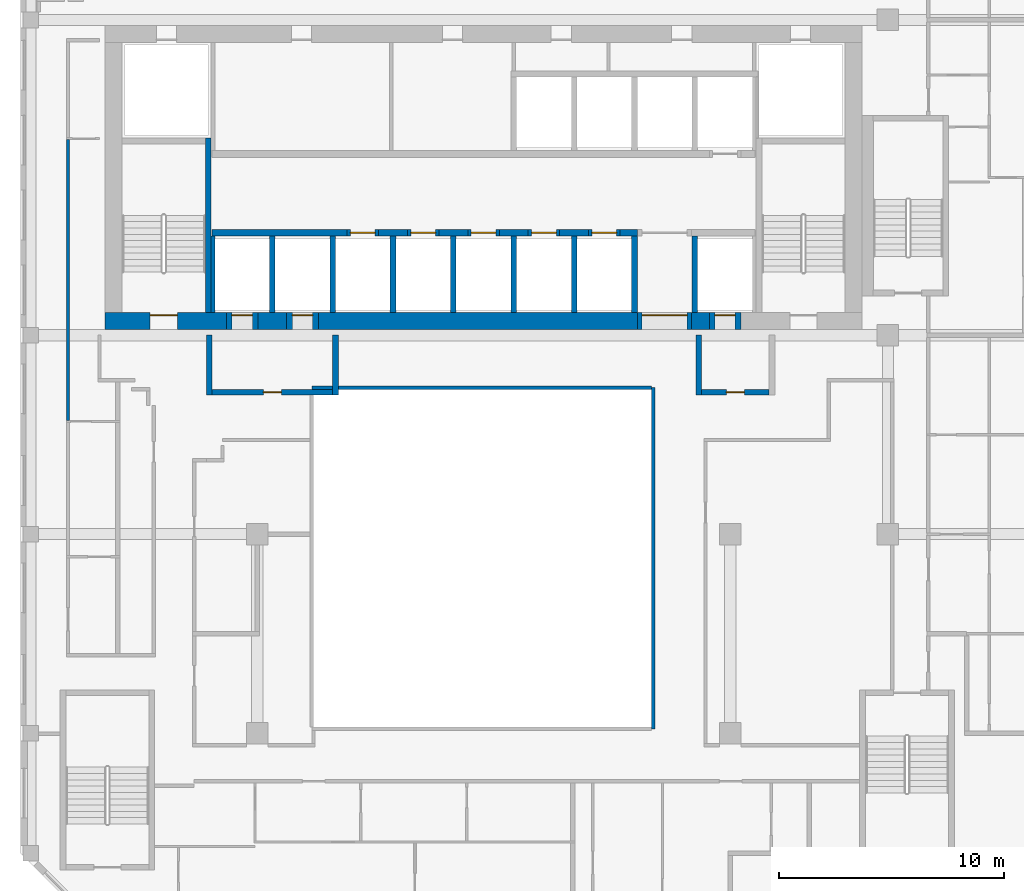
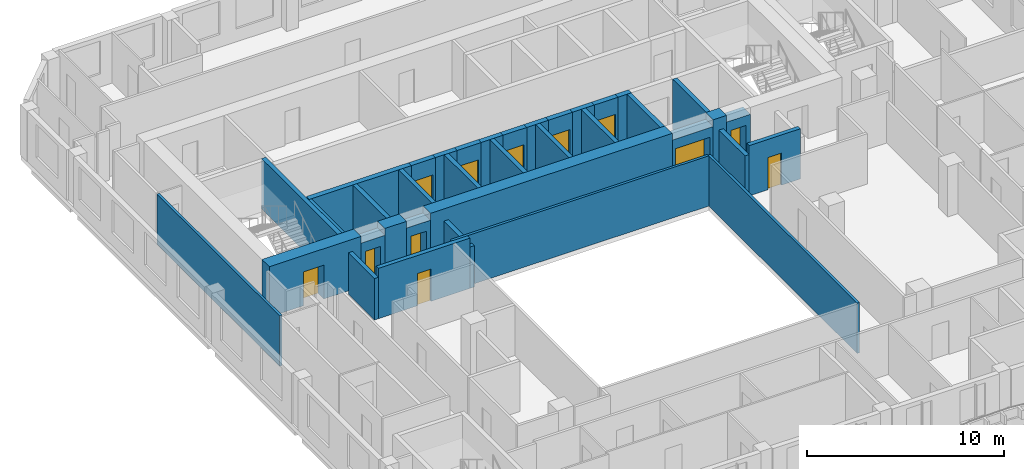
# One storey, part 4 of 20: 37 walls, 12 doors, 12 openings.
"""IFC4 building model written with IfcOpenShell, lengths in metres."""

from ifc_helpers import new_model, si_unit, direction, frame, frame_2d, origin, place, context, subcontext, project, spatial, rectangle, extrude, source, transform, mapped, material, layer, layer_set, type_object, element, fill, save


model = new_model("IFC4")

# Units and contexts
model_context = context("Model", 3, precision=1e-05, world=origin(), true_north=direction((0.0, 1.0)))
body_context = subcontext(model_context, "Body", "Model", "MODEL_VIEW")
ifc_project = project(units=[si_unit("LENGTHUNIT", "METRE"), si_unit("AREAUNIT", "SQUARE_METRE"), si_unit("VOLUMEUNIT", "CUBIC_METRE"), si_unit("PLANEANGLEUNIT", "RADIAN"), si_unit("MASSUNIT", "GRAM", prefix="KILO")], contexts=[model_context])

# Site, building, storey
site_placement = place(None, origin())
site = spatial("IfcSite", under=ifc_project, at=site_placement, CompositionType="ELEMENT")
building_placement = place(site_placement, origin())
building = spatial("IfcBuilding", under=site, at=building_placement, Name="Kilnfold Tower and Market Hall", CompositionType="ELEMENT")
storey_placement = place(building_placement, frame((0.0, 0.0, 239.0)))
storey = spatial("IfcBuildingStorey", under=building, at=storey_placement, Name="L57", CompositionType="ELEMENT", Elevation=239.0)

# Walls
ifc_material_1 = material(Name="Fire-resisting glazed screen")
ifc_layer_1 = layer(ifc_material_1, 0.14990234375)
ifc_layer_set_1 = layer_set([ifc_layer_1], Name="Fire-resisting glazed screen")
wall_type_1 = type_object("IfcWallType", Name="WALL ATRIUM 150", PredefinedType="PARTITIONING", material=ifc_layer_set_1)
wall_1_placement = place(storey_placement, frame((-6.574951171875, 5.675048828125, 0.0), z_axis=(0.0, 0.0, 1.0), x_axis=(1.0, 0.0, 0.0)))
element("IfcWall", 1, at=wall_1_placement, inside=storey, type_object=wall_type_1, Name="Partition LY35.110", PredefinedType="PARTITIONING", context=body_context, shape_type="SweptSolid", body=[
    extrude(rectangle(XDim=15.074951171875, YDim=0.14990234375, at=frame_2d((7.53759765625, 0.0))), origin(), (0.0, 0.0, 1.0), 3.1201171875),
])
wall_2_placement = place(storey_placement, frame((8.574951171875, 5.675048828125, 0.0), z_axis=(0.0, 0.0, 1.0), x_axis=(0.0, -1.0, 0.0)))
element("IfcWall", 2, at=wall_2_placement, inside=storey, type_object=wall_type_1, Name="Partition LY35.111", PredefinedType="PARTITIONING", context=body_context, shape_type="SweptSolid", body=[
    extrude(rectangle(XDim=15.150146484375, YDim=0.14990234375, at=frame_2d((7.5751953125, 0.0))), origin(), (0.0, 0.0, 1.0), 3.1201171875),
])
ifc_material_2 = material(Name="Gypsum board on steel studs", Category="steel")
ifc_layer_2 = layer(ifc_material_2, 0.14990234375)
ifc_layer_set_2 = layer_set([ifc_layer_2], Name="Gypsum board on steel studs")
wall_type_2 = type_object("IfcWallType", Name="WALL CORRIDOR 150", PredefinedType="PARTITIONING", material=ifc_layer_set_2)
wall_3_placement = place(storey_placement, frame((-17.39990234375, 4.214111328125, 0.0), z_axis=(0.0, 0.0, 1.0), x_axis=(0.0, 1.0, 0.0)))
element("IfcWall", 3, at=wall_3_placement, inside=storey, type_object=wall_type_2, Name="Partition LY35.4", PredefinedType="PARTITIONING", context=body_context, shape_type="SweptSolid", body=[
    extrude(rectangle(XDim=12.476806640625, YDim=0.14990234375, at=frame_2d((6.23828125, 0.0))), origin(), (0.0, 0.0, 1.0), 3.1201171875),
])
ifc_material_3 = material(Name="Concrete C60", Category="concrete")
ifc_layer_3 = layer(ifc_material_3, 0.25)
ifc_layer_set_3 = layer_set([ifc_layer_3], Name="Concrete C60")
wall_type_3 = type_object("IfcWallType", Name="CORE WALL 250 C60", PredefinedType="SHEAR", material=ifc_layer_set_3)
shared_shape_1 = source(origin(), body_context, "Body", "SweptSolid", [
    extrude(rectangle(XDim=7.75, YDim=0.25, at=frame_2d((3.875, 0.0))), origin(), (0.0, 0.0, 1.0), 3.1201171875),
])
wall_4_placement = place(storey_placement, frame((-11.175048828125, 9.0, 0.0), z_axis=(0.0, 0.0, 1.0), x_axis=(0.0, 1.0, 0.0)))
element("IfcWall", 4, at=wall_4_placement, inside=storey, type_object=wall_type_3, Name="Stair enclosure ST1", PredefinedType="SHEAR", context=body_context, shape_type="MappedRepresentation", body=[
    mapped(shared_shape_1, transform((0.0, 0.0, 0.0))),
])
ifc_material_4 = material(Name="Concrete C60", Category="concrete")
ifc_layer_4 = layer(ifc_material_4, 0.300048828125)
ifc_layer_set_4 = layer_set([ifc_layer_4], Name="Concrete C60")
wall_type_4 = type_object("IfcWallType", Name="CORE WALL 300 C60", PredefinedType="SHEAR", material=ifc_layer_set_4)
shared_shape_2 = source(origin(), body_context, "Body", "SweptSolid", [
    extrude(rectangle(XDim=6.0, YDim=0.300048828125, at=frame_2d((3.0, 0.0))), origin(), (0.0, 0.0, 1.0), 3.1201171875),
])
wall_5_placement = place(storey_placement, frame((-11.010009765625, 12.550048828125, 0.0), z_axis=(0.0, 0.0, 1.0), x_axis=(1.0, 0.0, 0.0)))
element("IfcWall", 5, at=wall_5_placement, inside=storey, type_object=wall_type_4, Name="Core spine wall", PredefinedType="SHEAR", context=body_context, shape_type="MappedRepresentation", body=[
    mapped(shared_shape_2, transform((0.0, 0.0, 0.0))),
])
shared_shape_3 = source(origin(), body_context, "Body", "SweptSolid", [
    extrude(rectangle(XDim=1.280029296875, YDim=0.300048828125, at=frame_2d((0.64013671875, 0.0))), origin(), (0.0, 0.0, 1.0), 3.1201171875),
])
for number, where, z_axis, x_axis, name in (
    (6, (-3.610107421875, 12.550048828125, 0.0), (0.0, 0.0, 1.0), (1.0, 0.0, 0.0), "Core spine wall"),
    (7, (-0.929931640625, 12.550048828125, 0.0), (0.0, 0.0, 1.0), (1.0, 0.0, 0.0), "Core spine wall"),
    (8, (1.75, 12.550048828125, 0.0), (0.0, 0.0, 1.0), (1.0, 0.0, 0.0), "Core spine wall"),
    (9, (4.429931640625, 12.550048828125, 0.0), (0.0, 0.0, 1.0), (1.0, 0.0, 0.0), "Core spine wall"),
):
    element("IfcWall", number, at=place(storey_placement, frame(where, z_axis=z_axis, x_axis=x_axis)), inside=storey, type_object=wall_type_4, Name=name, PredefinedType="SHEAR", context=body_context, shape_type="MappedRepresentation", body=[
        mapped(shared_shape_3, transform((0.0, 0.0, 0.0))),
    ])
shared_shape_4 = source(origin(), body_context, "Body", "SweptSolid", [
    extrude(rectangle(XDim=0.77978515625, YDim=0.300048828125, at=frame_2d((0.389892578125, 0.0))), origin(), (0.0, 0.0, 1.0), 3.1201171875),
])
wall_6_placement = place(storey_placement, frame((7.110107421875, 12.550048828125, 0.0), z_axis=(0.0, 0.0, 1.0), x_axis=(1.0, 0.0, 0.0)))
element("IfcWall", 10, at=wall_6_placement, inside=storey, type_object=wall_type_4, Name="Core spine wall", PredefinedType="SHEAR", context=body_context, shape_type="MappedRepresentation", body=[
    mapped(shared_shape_4, transform((0.0, 0.0, 0.0))),
])

# Wall, opening, door
ifc_material_5 = material(Name="Concrete C60", Category="concrete")
ifc_layer_5 = layer(ifc_material_5, 0.75)
ifc_layer_set_5 = layer_set([ifc_layer_5], Name="Concrete C60")
wall_type_5 = type_object("IfcWallType", Name="CORE WALL 750 C60", PredefinedType="SHEAR", material=ifc_layer_set_5)
shared_shape_5 = source(origin(), body_context, "Body", "SweptSolid", [
    extrude(rectangle(XDim=5.3798828125, YDim=0.75, at=frame_2d((2.68994140625, 0.0))), origin(), (0.0, 0.0, 1.0), 3.1201171875),
])
wall_7_placement = place(storey_placement, frame((-15.75, 8.625, 0.0), z_axis=(0.0, 0.0, 1.0), x_axis=(1.0, 0.0, 0.0)))
wall_7 = element("IfcWall", 11, at=wall_7_placement, inside=storey, type_object=wall_type_5, Name="Core outer wall south", PredefinedType="SHEAR", context=body_context, shape_type="MappedRepresentation", body=[
    mapped(shared_shape_5, transform((0.0, 0.0, 0.0))),
])
opening_1_placement = place(wall_7_placement, frame((2.0, 0.0, 0.0)))
opening_1 = element("IfcOpeningElement", 12, at=opening_1_placement, cuts=wall_7, Name="Opening SD1", PredefinedType="OPENING", context=body_context, shape_type="SweptSolid", body=[
    extrude(rectangle(XDim=1.199951171875, YDim=2.10009765625, at=frame_2d((0.60009765625, 1.050048828125))), frame((0.0, 0.385009765625, 0.0), z_axis=(0.0, -1.0, 0.0), x_axis=(1.0, 0.0, 0.0)), (0.0, 0.0, 1.0), 0.77001953125),
])
ifc_material_6 = material(Name="Steel door set with fire-resisting leaf", Category="steel")
door_type_1 = type_object("IfcDoorType", Name="STAIR FLOOR DOOR 1200X2100", OperationType="NOTDEFINED", PredefinedType="DOOR", material=ifc_material_6)
door_1_placement = place(opening_1_placement, origin())
door_1 = element("IfcDoor", 13, at=door_1_placement, inside=storey, type_object=door_type_1, Name="Exit stair ST1 door", OperationType="DOUBLE_DOOR_SINGLE_SWING", OverallHeight=2.10009765625, OverallWidth=1.199951171875, PredefinedType="DOOR", context=body_context, shape_type="SweptSolid", body=[
    extrude(rectangle(XDim=1.199951171875, YDim=2.10009765625, at=frame_2d((0.60009765625, 1.050048828125))), frame((0.0, 0.27978515625, 0.0), z_axis=(0.0, -1.0, 0.0), x_axis=(1.0, 0.0, 0.0)), (0.0, 0.0, 1.0), 0.050048828125),
])
fill(opening_1, door_1)

# Walls
shared_shape_6 = source(origin(), body_context, "Body", "SweptSolid", [
    extrude(rectangle(XDim=1.280029296875, YDim=0.75, at=frame_2d((0.64013671875, 0.0))), origin(), (0.0, 0.0, 1.0), 3.1201171875),
])
wall_8_placement = place(storey_placement, frame((-8.969970703125, 8.625, 0.0), z_axis=(0.0, 0.0, 1.0), x_axis=(1.0, 0.0, 0.0)))
element("IfcWall", 14, at=wall_8_placement, inside=storey, type_object=wall_type_5, Name="Core outer wall south", PredefinedType="SHEAR", context=body_context, shape_type="MappedRepresentation", body=[
    mapped(shared_shape_6, transform((0.0, 0.0, 0.0))),
])
shared_shape_7 = source(origin(), body_context, "Body", "SweptSolid", [
    extrude(rectangle(XDim=14.179931640625, YDim=0.75, at=frame_2d((7.08984375, 0.0))), origin(), (0.0, 0.0, 1.0), 3.1201171875),
])
wall_9_placement = place(storey_placement, frame((-6.2900390625, 8.625, 0.0), z_axis=(0.0, 0.0, 1.0), x_axis=(1.0, 0.0, 0.0)))
element("IfcWall", 15, at=wall_9_placement, inside=storey, type_object=wall_type_5, Name="Core outer wall south", PredefinedType="SHEAR", context=body_context, shape_type="MappedRepresentation", body=[
    mapped(shared_shape_7, transform((0.0, 0.0, 0.0))),
])
shared_shape_8 = source(origin(), body_context, "Body", "SweptSolid", [
    extrude(rectangle(XDim=0.780029296875, YDim=0.75, at=frame_2d((0.39013671875, 0.0))), origin(), (0.0, 0.0, 1.0), 3.1201171875),
])
wall_10_placement = place(storey_placement, frame((10.2900390625, 8.625, 0.0), z_axis=(0.0, 0.0, 1.0), x_axis=(1.0, 0.0, 0.0)))
element("IfcWall", 16, at=wall_10_placement, inside=storey, type_object=wall_type_5, Name="Core outer wall south", PredefinedType="SHEAR", context=body_context, shape_type="MappedRepresentation", body=[
    mapped(shared_shape_8, transform((0.0, 0.0, 0.0))),
])

# Wall, opening, door
ifc_material_7 = material(Name="Gypsum shaft wall system")
ifc_layer_6 = layer(ifc_material_7, 0.300048828125)
ifc_layer_set_6 = layer_set([ifc_layer_6], Name="Gypsum shaft wall system")
wall_type_6 = type_object("IfcWallType", Name="SHAFT WALL 300", PredefinedType="PARTITIONING", material=ifc_layer_set_6)
shared_shape_9 = source(origin(), body_context, "Body", "SweptSolid", [
    extrude(rectangle(XDim=1.39990234375, YDim=0.300048828125, at=frame_2d((0.699951171875, 0.0))), origin(), (0.0, 0.0, 1.0), 3.1201171875),
])
wall_11_placement = place(storey_placement, frame((-5.010009765625, 12.550048828125, 0.0), z_axis=(0.0, 0.0, 1.0), x_axis=(1.0, 0.0, 0.0)))
wall_11 = element("IfcWall", 17, at=wall_11_placement, inside=storey, type_object=wall_type_6, Name="Lift shaft front wall", PredefinedType="PARTITIONING", context=body_context, shape_type="MappedRepresentation", body=[
    mapped(shared_shape_9, transform((0.0, 0.0, 0.0))),
])
opening_2_placement = place(wall_11_placement, frame((0.14990234375, 0.0, 0.0)))
opening_2 = element("IfcOpeningElement", 18, at=opening_2_placement, cuts=wall_11, Name="Opening LD2", PredefinedType="OPENING", context=body_context, shape_type="SweptSolid", body=[
    extrude(rectangle(XDim=1.10009765625, YDim=2.10009765625, at=frame_2d((0.550048828125, 1.050048828125))), frame((0.0, 0.16015625, 0.0), z_axis=(0.0, -1.0, 0.0), x_axis=(1.0, 0.0, 0.0)), (0.0, 0.0, 1.0), 0.320068359375),
])
ifc_material_8 = material(Name="Steel door set with fire-resisting leaf", Category="steel")
door_type_2 = type_object("IfcDoorType", Name="LANDING DOOR 1100X2100", OperationType="NOTDEFINED", PredefinedType="DOOR", material=ifc_material_8)
door_2_placement = place(opening_2_placement, origin())
door_2 = element("IfcDoor", 19, at=door_2_placement, inside=storey, type_object=door_type_2, Name="Landing door HR1", OperationType="DOUBLE_DOOR_SLIDING", OverallHeight=2.10009765625, OverallWidth=1.10009765625, PredefinedType="DOOR", context=body_context, shape_type="SweptSolid", body=[
    extrude(rectangle(XDim=1.10009765625, YDim=2.10009765625, at=frame_2d((0.550048828125, 1.050048828125))), frame((0.0, 0.02490234375, 0.0), z_axis=(0.0, -1.0, 0.0), x_axis=(1.0, 0.0, 0.0)), (0.0, 0.0, 1.0), 0.050048828125),
])
fill(opening_2, door_2)

wall_12_placement = place(storey_placement, frame((0.35009765625, 12.550048828125, 0.0), z_axis=(0.0, 0.0, 1.0), x_axis=(1.0, 0.0, 0.0)))
wall_12 = element("IfcWall", 20, at=wall_12_placement, inside=storey, type_object=wall_type_6, Name="Lift shaft front wall", PredefinedType="PARTITIONING", context=body_context, shape_type="MappedRepresentation", body=[
    mapped(shared_shape_9, transform((0.0, 0.0, 0.0))),
])
opening_3_placement = place(wall_12_placement, frame((0.14990234375, 0.0, 0.0)))
opening_3 = element("IfcOpeningElement", 21, at=opening_3_placement, cuts=wall_12, Name="Opening LD2", PredefinedType="OPENING", context=body_context, shape_type="SweptSolid", body=[
    extrude(rectangle(XDim=1.10009765625, YDim=2.10009765625, at=frame_2d((0.550048828125, 1.050048828125))), frame((0.0, 0.16015625, 0.0), z_axis=(0.0, -1.0, 0.0), x_axis=(1.0, 0.0, 0.0)), (0.0, 0.0, 1.0), 0.320068359375),
])
door_3_placement = place(opening_3_placement, origin())
door_3 = element("IfcDoor", 22, at=door_3_placement, inside=storey, type_object=door_type_2, Name="Landing door HR3", OperationType="DOUBLE_DOOR_SLIDING", OverallHeight=2.10009765625, OverallWidth=1.10009765625, PredefinedType="DOOR", context=body_context, shape_type="SweptSolid", body=[
    extrude(rectangle(XDim=1.10009765625, YDim=2.10009765625, at=frame_2d((0.550048828125, 1.050048828125))), frame((0.0, 0.02490234375, 0.0), z_axis=(0.0, -1.0, 0.0), x_axis=(1.0, 0.0, 0.0)), (0.0, 0.0, 1.0), 0.050048828125),
])
fill(opening_3, door_3)

wall_13_placement = place(storey_placement, frame((3.030029296875, 12.550048828125, 0.0), z_axis=(0.0, 0.0, 1.0), x_axis=(1.0, 0.0, 0.0)))
wall_13 = element("IfcWall", 23, at=wall_13_placement, inside=storey, type_object=wall_type_6, Name="Lift shaft front wall", PredefinedType="PARTITIONING", context=body_context, shape_type="MappedRepresentation", body=[
    mapped(shared_shape_9, transform((0.0, 0.0, 0.0))),
])
opening_4_placement = place(wall_13_placement, frame((0.14990234375, 0.0, 0.0)))
opening_4 = element("IfcOpeningElement", 24, at=opening_4_placement, cuts=wall_13, Name="Opening LD2", PredefinedType="OPENING", context=body_context, shape_type="SweptSolid", body=[
    extrude(rectangle(XDim=1.10009765625, YDim=2.10009765625, at=frame_2d((0.550048828125, 1.050048828125))), frame((0.0, 0.16015625, 0.0), z_axis=(0.0, -1.0, 0.0), x_axis=(1.0, 0.0, 0.0)), (0.0, 0.0, 1.0), 0.320068359375),
])
door_4_placement = place(opening_4_placement, origin())
door_4 = element("IfcDoor", 25, at=door_4_placement, inside=storey, type_object=door_type_2, Name="Landing door HR4", OperationType="DOUBLE_DOOR_SLIDING", OverallHeight=2.10009765625, OverallWidth=1.10009765625, PredefinedType="DOOR", context=body_context, shape_type="SweptSolid", body=[
    extrude(rectangle(XDim=1.10009765625, YDim=2.10009765625, at=frame_2d((0.550048828125, 1.050048828125))), frame((0.0, 0.02490234375, 0.0), z_axis=(0.0, -1.0, 0.0), x_axis=(1.0, 0.0, 0.0)), (0.0, 0.0, 1.0), 0.050048828125),
])
fill(opening_4, door_4)

shared_shape_10 = source(origin(), body_context, "Body", "SweptSolid", [
    extrude(rectangle(XDim=1.400146484375, YDim=0.300048828125, at=frame_2d((0.7001953125, 0.0))), origin(), (0.0, 0.0, 1.0), 3.1201171875),
])
wall_14_placement = place(storey_placement, frame((-2.330078125, 12.550048828125, 0.0), z_axis=(0.0, 0.0, 1.0), x_axis=(1.0, 0.0, 0.0)))
wall_14 = element("IfcWall", 26, at=wall_14_placement, inside=storey, type_object=wall_type_6, Name="Lift shaft front wall", PredefinedType="PARTITIONING", context=body_context, shape_type="MappedRepresentation", body=[
    mapped(shared_shape_10, transform((0.0, 0.0, 0.0))),
])
opening_5_placement = place(wall_14_placement, frame((0.14990234375, 0.0, 0.0)))
opening_5 = element("IfcOpeningElement", 27, at=opening_5_placement, cuts=wall_14, Name="Opening LD2", PredefinedType="OPENING", context=body_context, shape_type="SweptSolid", body=[
    extrude(rectangle(XDim=1.10009765625, YDim=2.10009765625, at=frame_2d((0.550048828125, 1.050048828125))), frame((0.0, 0.16015625, 0.0), z_axis=(0.0, -1.0, 0.0), x_axis=(1.0, 0.0, 0.0)), (0.0, 0.0, 1.0), 0.320068359375),
])
door_5_placement = place(opening_5_placement, origin())
door_5 = element("IfcDoor", 28, at=door_5_placement, inside=storey, type_object=door_type_2, Name="Landing door HR2", OperationType="DOUBLE_DOOR_SLIDING", OverallHeight=2.10009765625, OverallWidth=1.10009765625, PredefinedType="DOOR", context=body_context, shape_type="SweptSolid", body=[
    extrude(rectangle(XDim=1.10009765625, YDim=2.10009765625, at=frame_2d((0.550048828125, 1.050048828125))), frame((0.0, 0.02490234375, 0.0), z_axis=(0.0, -1.0, 0.0), x_axis=(1.0, 0.0, 0.0)), (0.0, 0.0, 1.0), 0.050048828125),
])
fill(opening_5, door_5)

wall_15_placement = place(storey_placement, frame((5.7099609375, 12.550048828125, 0.0), z_axis=(0.0, 0.0, 1.0), x_axis=(1.0, 0.0, 0.0)))
wall_15 = element("IfcWall", 29, at=wall_15_placement, inside=storey, type_object=wall_type_6, Name="Lift shaft front wall", PredefinedType="PARTITIONING", context=body_context, shape_type="MappedRepresentation", body=[
    mapped(shared_shape_10, transform((0.0, 0.0, 0.0))),
])
opening_6_placement = place(wall_15_placement, frame((0.14990234375, 0.0, 0.0)))
opening_6 = element("IfcOpeningElement", 30, at=opening_6_placement, cuts=wall_15, Name="Opening LD2", PredefinedType="OPENING", context=body_context, shape_type="SweptSolid", body=[
    extrude(rectangle(XDim=1.10009765625, YDim=2.10009765625, at=frame_2d((0.550048828125, 1.050048828125))), frame((0.0, 0.16015625, 0.0), z_axis=(0.0, -1.0, 0.0), x_axis=(1.0, 0.0, 0.0)), (0.0, 0.0, 1.0), 0.320068359375),
])
door_6_placement = place(opening_6_placement, origin())
door_6 = element("IfcDoor", 31, at=door_6_placement, inside=storey, type_object=door_type_2, Name="Landing door HR5", OperationType="DOUBLE_DOOR_SLIDING", OverallHeight=2.10009765625, OverallWidth=1.10009765625, PredefinedType="DOOR", context=body_context, shape_type="SweptSolid", body=[
    extrude(rectangle(XDim=1.10009765625, YDim=2.10009765625, at=frame_2d((0.550048828125, 1.050048828125))), frame((0.0, 0.02490234375, 0.0), z_axis=(0.0, -1.0, 0.0), x_axis=(1.0, 0.0, 0.0)), (0.0, 0.0, 1.0), 0.050048828125),
])
fill(opening_6, door_6)

ifc_material_9 = material(Name="Gypsum shaft wall system")
ifc_layer_7 = layer(ifc_material_9, 0.25)
ifc_layer_set_7 = layer_set([ifc_layer_7], Name="Gypsum shaft wall system")
wall_type_7 = type_object("IfcWallType", Name="LOBBY WALL 250", PredefinedType="PARTITIONING", material=ifc_layer_set_7)
shared_shape_11 = source(origin(), body_context, "Body", "SweptSolid", [
    extrude(rectangle(XDim=5.360107421875, YDim=0.25, at=frame_2d((2.68017578125, 0.0))), origin(), (0.0, 0.0, 1.0), 3.1201171875),
])
wall_16_placement = place(storey_placement, frame((-11.010009765625, 5.47509765625, 0.0), z_axis=(0.0, 0.0, 1.0), x_axis=(1.0, 0.0, 0.0)))
wall_16 = element("IfcWall", 32, at=wall_16_placement, inside=storey, type_object=wall_type_7, Name="Firefighting lobby wall", PredefinedType="PARTITIONING", context=body_context, shape_type="MappedRepresentation", body=[
    mapped(shared_shape_11, transform((0.0, 0.0, 0.0))),
])
opening_7_placement = place(wall_16_placement, frame((2.280029296875, 0.0, 0.0)))
opening_7 = element("IfcOpeningElement", 33, at=opening_7_placement, cuts=wall_16, Name="Opening VD1", PredefinedType="OPENING", context=body_context, shape_type="SweptSolid", body=[
    extrude(rectangle(XDim=0.800048828125, YDim=2.0, at=frame_2d((0.39990234375, 1.0))), frame((0.0, 0.135009765625, 0.0), z_axis=(0.0, -1.0, 0.0), x_axis=(1.0, 0.0, 0.0)), (0.0, 0.0, 1.0), 0.27001953125),
])
ifc_material_10 = material(Name="Steel door set with fire-resisting leaf", Category="steel")
door_type_3 = type_object("IfcDoorType", Name="FIREFIGHTING LOBBY DOOR 800X2000", OperationType="NOTDEFINED", PredefinedType="DOOR", material=ifc_material_10)
door_7_placement = place(opening_7_placement, origin())
door_7 = element("IfcDoor", 34, at=door_7_placement, inside=storey, type_object=door_type_3, Name="Firefighting lobby door", OperationType="SINGLE_SWING_LEFT", OverallHeight=2.0, OverallWidth=0.800048828125, PredefinedType="DOOR", context=body_context, shape_type="SweptSolid", body=[
    extrude(rectangle(XDim=0.800048828125, YDim=2.0, at=frame_2d((0.39990234375, 1.0))), frame((0.0, 0.02490234375, 0.0), z_axis=(0.0, -1.0, 0.0), x_axis=(1.0, 0.0, 0.0)), (0.0, 0.0, 1.0), 0.050048828125),
])
fill(opening_7, door_7)

shared_shape_12 = source(origin(), body_context, "Body", "SweptSolid", [
    extrude(rectangle(XDim=3.0, YDim=0.25, at=frame_2d((1.5, 0.0))), origin(), (0.0, 0.0, 1.0), 3.1201171875),
])
wall_17_placement = place(storey_placement, frame((10.72998046875, 5.47509765625, 0.0), z_axis=(0.0, 0.0, 1.0), x_axis=(1.0, 0.0, 0.0)))
wall_17 = element("IfcWall", 35, at=wall_17_placement, inside=storey, type_object=wall_type_7, Name="Firefighting lobby wall", PredefinedType="PARTITIONING", context=body_context, shape_type="MappedRepresentation", body=[
    mapped(shared_shape_12, transform((0.0, 0.0, 0.0))),
])
opening_8_placement = place(wall_17_placement, frame((1.10009765625, 0.0, 0.0)))
opening_8 = element("IfcOpeningElement", 36, at=opening_8_placement, cuts=wall_17, Name="Opening VD1", PredefinedType="OPENING", context=body_context, shape_type="SweptSolid", body=[
    extrude(rectangle(XDim=0.800048828125, YDim=2.0, at=frame_2d((0.39990234375, 1.0))), frame((0.0, 0.135009765625, 0.0), z_axis=(0.0, -1.0, 0.0), x_axis=(1.0, 0.0, 0.0)), (0.0, 0.0, 1.0), 0.27001953125),
])
door_8_placement = place(opening_8_placement, origin())
door_8 = element("IfcDoor", 37, at=door_8_placement, inside=storey, type_object=door_type_3, Name="Firefighting lobby door", OperationType="SINGLE_SWING_RIGHT", OverallHeight=2.0, OverallWidth=0.800048828125, PredefinedType="DOOR", context=body_context, shape_type="SweptSolid", body=[
    extrude(rectangle(XDim=0.800048828125, YDim=2.0, at=frame_2d((0.39990234375, 1.0))), frame((0.0, 0.02490234375, 0.0), z_axis=(0.0, -1.0, 0.0), x_axis=(1.0, 0.0, 0.0)), (0.0, 0.0, 1.0), 0.050048828125),
])
fill(opening_8, door_8)

# Walls
ifc_material_11 = material(Name="Gypsum shaft wall system")
ifc_layer_8 = layer(ifc_material_11, 0.25)
ifc_layer_set_8 = layer_set([ifc_layer_8], Name="Gypsum shaft wall system")
wall_type_8 = type_object("IfcWallType", Name="SHAFT WALL 250", PredefinedType="PARTITIONING", material=ifc_layer_set_8)
shared_shape_13 = source(origin(), body_context, "Body", "SweptSolid", [
    extrude(rectangle(XDim=3.39990234375, YDim=0.25, at=frame_2d((1.699951171875, 0.0))), origin(), (0.0, 0.0, 1.0), 3.1201171875),
])
for number, where, z_axis, x_axis, name in (
    (38, (10.429931640625, 9.0, 0.0), (0.0, 0.0, 1.0), (0.0, 1.0, 0.0), "Lift shaft wall"),
    (39, (2.389892578125, 9.0, 0.0), (0.0, 0.0, 1.0), (0.0, 1.0, 0.0), "Lift shaft wall"),
    (40, (5.070068359375, 9.0, 0.0), (0.0, 0.0, 1.0), (0.0, 1.0, 0.0), "Lift shaft wall"),
    (41, (7.75, 9.0, 0.0), (0.0, 0.0, 1.0), (0.0, 1.0, 0.0), "Lift shaft wall"),
    (42, (-0.2900390625, 9.0, 0.0), (0.0, 0.0, 1.0), (0.0, 1.0, 0.0), "Lift shaft wall"),
    (43, (-2.969970703125, 9.0, 0.0), (0.0, 0.0, 1.0), (0.0, 1.0, 0.0), "Lift shaft wall"),
    (44, (-5.64990234375, 9.0, 0.0), (0.0, 0.0, 1.0), (0.0, 1.0, 0.0), "Lift shaft wall"),
    (45, (-8.330078125, 9.0, 0.0), (0.0, 0.0, 1.0), (0.0, 1.0, 0.0), "Lift shaft wall"),
):
    element("IfcWall", number, at=place(storey_placement, frame(where, z_axis=z_axis, x_axis=x_axis)), inside=storey, type_object=wall_type_8, Name=name, PredefinedType="PARTITIONING", context=body_context, shape_type="MappedRepresentation", body=[
        mapped(shared_shape_13, transform((0.0, 0.0, 0.0))),
    ])
ifc_material_12 = material(Name="Gypsum shaft wall system")
ifc_layer_9 = layer(ifc_material_12, 0.1650390625)
ifc_layer_set_9 = layer_set([ifc_layer_9], Name="Gypsum shaft wall system")
wall_type_9 = type_object("IfcWallType", Name="SHAFT WALL 165", PredefinedType="PARTITIONING", material=ifc_layer_set_9)
shared_shape_14 = source(origin(), body_context, "Body", "SweptSolid", [
    extrude(rectangle(XDim=3.39990234375, YDim=0.1650390625, at=frame_2d((1.699951171875, 0.0))), origin(), (0.0, 0.0, 1.0), 3.1201171875),
])
wall_18_placement = place(storey_placement, frame((-10.967529296875, 9.0, 0.0), z_axis=(0.0, 0.0, 1.0), x_axis=(0.0, 1.0, 0.0)))
element("IfcWall", 46, at=wall_18_placement, inside=storey, type_object=wall_type_9, Name="Lift shaft wall", PredefinedType="PARTITIONING", context=body_context, shape_type="MappedRepresentation", body=[
    mapped(shared_shape_14, transform((0.0, 0.0, 0.0))),
])

# Wall, opening, door
ifc_material_13 = material(Name="Gypsum shaft wall system")
ifc_layer_10 = layer(ifc_material_13, 0.75)
ifc_layer_set_10 = layer_set([ifc_layer_10], Name="Gypsum shaft wall system")
wall_type_10 = type_object("IfcWallType", Name="LOBBY WALL 750", PredefinedType="PARTITIONING", material=ifc_layer_set_10)
shared_shape_15 = source(origin(), body_context, "Body", "SweptSolid", [
    extrude(rectangle(XDim=1.400146484375, YDim=0.75, at=frame_2d((0.7001953125, 0.0))), origin(), (0.0, 0.0, 1.0), 2.699951171875),
])
wall_19_placement = place(storey_placement, frame((-10.3701171875, 8.625, 0.0), z_axis=(0.0, 0.0, 1.0), x_axis=(1.0, 0.0, 0.0)))
wall_19 = element("IfcWall", 47, at=wall_19_placement, inside=storey, type_object=wall_type_10, Name="Core wall infill", PredefinedType="PARTITIONING", context=body_context, shape_type="MappedRepresentation", body=[
    mapped(shared_shape_15, transform((0.0, 0.0, 0.0))),
])
opening_9_placement = place(wall_19_placement, frame((0.25, 0.0, 0.0)))
opening_9 = element("IfcOpeningElement", 48, at=opening_9_placement, cuts=wall_19, Name="Opening LD1", PredefinedType="OPENING", context=body_context, shape_type="SweptSolid", body=[
    extrude(rectangle(XDim=0.89990234375, YDim=2.10009765625, at=frame_2d((0.449951171875, 1.050048828125))), frame((0.0, 0.385009765625, 0.0), z_axis=(0.0, -1.0, 0.0), x_axis=(1.0, 0.0, 0.0)), (0.0, 0.0, 1.0), 0.77001953125),
])
ifc_material_14 = material(Name="Steel door set with fire-resisting leaf", Category="steel")
door_type_4 = type_object("IfcDoorType", Name="FIREFIGHTING LANDING DOOR 900X2100", OperationType="NOTDEFINED", PredefinedType="DOOR", material=ifc_material_14)
door_9_placement = place(opening_9_placement, origin())
door_9 = element("IfcDoor", 49, at=door_9_placement, inside=storey, type_object=door_type_4, Name="Landing door FF1", OperationType="SLIDING_TO_LEFT", OverallHeight=2.10009765625, OverallWidth=0.89990234375, PredefinedType="DOOR", context=body_context, shape_type="SweptSolid", body=[
    extrude(rectangle(XDim=0.89990234375, YDim=2.10009765625, at=frame_2d((0.449951171875, 1.050048828125))), frame((0.0, 0.27978515625, 0.0), z_axis=(0.0, -1.0, 0.0), x_axis=(1.0, 0.0, 0.0)), (0.0, 0.0, 1.0), 0.050048828125),
])
fill(opening_9, door_9)

shared_shape_16 = source(origin(), body_context, "Body", "SweptSolid", [
    extrude(rectangle(XDim=1.39990234375, YDim=0.75, at=frame_2d((0.699951171875, 0.0))), origin(), (0.0, 0.0, 1.0), 2.699951171875),
])
wall_20_placement = place(storey_placement, frame((-7.68994140625, 8.625, 0.0), z_axis=(0.0, 0.0, 1.0), x_axis=(1.0, 0.0, 0.0)))
wall_20 = element("IfcWall", 50, at=wall_20_placement, inside=storey, type_object=wall_type_10, Name="Core wall infill", PredefinedType="PARTITIONING", context=body_context, shape_type="MappedRepresentation", body=[
    mapped(shared_shape_16, transform((0.0, 0.0, 0.0))),
])
opening_10_placement = place(wall_20_placement, frame((0.25, 0.0, 0.0)))
opening_10 = element("IfcOpeningElement", 51, at=opening_10_placement, cuts=wall_20, Name="Opening LD1", PredefinedType="OPENING", context=body_context, shape_type="SweptSolid", body=[
    extrude(rectangle(XDim=0.89990234375, YDim=2.10009765625, at=frame_2d((0.449951171875, 1.050048828125))), frame((0.0, 0.385009765625, 0.0), z_axis=(0.0, -1.0, 0.0), x_axis=(1.0, 0.0, 0.0)), (0.0, 0.0, 1.0), 0.77001953125),
])
door_10_placement = place(opening_10_placement, origin())
door_10 = element("IfcDoor", 52, at=door_10_placement, inside=storey, type_object=door_type_4, Name="Landing door FF2", OperationType="SLIDING_TO_RIGHT", OverallHeight=2.10009765625, OverallWidth=0.89990234375, PredefinedType="DOOR", context=body_context, shape_type="SweptSolid", body=[
    extrude(rectangle(XDim=0.89990234375, YDim=2.10009765625, at=frame_2d((0.449951171875, 1.050048828125))), frame((0.0, 0.27978515625, 0.0), z_axis=(0.0, -1.0, 0.0), x_axis=(1.0, 0.0, 0.0)), (0.0, 0.0, 1.0), 0.050048828125),
])
fill(opening_10, door_10)

wall_21_placement = place(storey_placement, frame((11.070068359375, 8.625, 0.0), z_axis=(0.0, 0.0, 1.0), x_axis=(1.0, 0.0, 0.0)))
wall_21 = element("IfcWall", 53, at=wall_21_placement, inside=storey, type_object=wall_type_10, Name="Core wall infill", PredefinedType="PARTITIONING", context=body_context, shape_type="MappedRepresentation", body=[
    mapped(shared_shape_16, transform((0.0, 0.0, 0.0))),
])
opening_11_placement = place(wall_21_placement, frame((0.25, 0.0, 0.0)))
opening_11 = element("IfcOpeningElement", 54, at=opening_11_placement, cuts=wall_21, Name="Opening LD1", PredefinedType="OPENING", context=body_context, shape_type="SweptSolid", body=[
    extrude(rectangle(XDim=0.89990234375, YDim=2.10009765625, at=frame_2d((0.449951171875, 1.050048828125))), frame((0.0, 0.385009765625, 0.0), z_axis=(0.0, -1.0, 0.0), x_axis=(1.0, 0.0, 0.0)), (0.0, 0.0, 1.0), 0.77001953125),
])
door_11_placement = place(opening_11_placement, origin())
door_11 = element("IfcDoor", 55, at=door_11_placement, inside=storey, type_object=door_type_4, Name="Landing door FF3", OperationType="SLIDING_TO_LEFT", OverallHeight=2.10009765625, OverallWidth=0.89990234375, PredefinedType="DOOR", context=body_context, shape_type="SweptSolid", body=[
    extrude(rectangle(XDim=0.89990234375, YDim=2.10009765625, at=frame_2d((0.449951171875, 1.050048828125))), frame((0.0, 0.27978515625, 0.0), z_axis=(0.0, -1.0, 0.0), x_axis=(1.0, 0.0, 0.0)), (0.0, 0.0, 1.0), 0.050048828125),
])
fill(opening_11, door_11)

shared_shape_17 = source(origin(), body_context, "Body", "SweptSolid", [
    extrude(rectangle(XDim=2.400146484375, YDim=0.75, at=frame_2d((1.2001953125, 0.0))), origin(), (0.0, 0.0, 1.0), 2.699951171875),
])
wall_22_placement = place(storey_placement, frame((7.889892578125, 8.625, 0.0), z_axis=(0.0, 0.0, 1.0), x_axis=(1.0, 0.0, 0.0)))
wall_22 = element("IfcWall", 56, at=wall_22_placement, inside=storey, type_object=wall_type_10, Name="Core wall infill", PredefinedType="PARTITIONING", context=body_context, shape_type="MappedRepresentation", body=[
    mapped(shared_shape_17, transform((0.0, 0.0, 0.0))),
])
opening_12_placement = place(wall_22_placement, frame((0.199951171875, 0.0, 0.0)))
opening_12 = element("IfcOpeningElement", 57, at=opening_12_placement, cuts=wall_22, Name="Opening VD2", PredefinedType="OPENING", context=body_context, shape_type="SweptSolid", body=[
    extrude(rectangle(XDim=2.0, YDim=2.10009765625, at=frame_2d((1.0, 1.050048828125))), frame((0.0, 0.385009765625, 0.0), z_axis=(0.0, -1.0, 0.0), x_axis=(1.0, 0.0, 0.0)), (0.0, 0.0, 1.0), 0.77001953125),
])
ifc_material_15 = material(Name="Steel door set with fire-resisting leaf", Category="steel")
door_type_5 = type_object("IfcDoorType", Name="LIFT LOBBY ENTRANCE DOOR 2000X2100", OperationType="NOTDEFINED", PredefinedType="DOOR", material=ifc_material_15)
door_12_placement = place(opening_12_placement, origin())
door_12 = element("IfcDoor", 58, at=door_12_placement, inside=storey, type_object=door_type_5, Name="Lift lobby entrance door", OperationType="DOUBLE_DOOR_SINGLE_SWING", OverallHeight=2.10009765625, OverallWidth=2.0, PredefinedType="DOOR", context=body_context, shape_type="SweptSolid", body=[
    extrude(rectangle(XDim=2.0, YDim=2.10009765625, at=frame_2d((1.0, 1.050048828125))), frame((0.0, 0.27978515625, 0.0), z_axis=(0.0, -1.0, 0.0), x_axis=(1.0, 0.0, 0.0)), (0.0, 0.0, 1.0), 0.050048828125),
])
fill(opening_12, door_12)

# Walls
shared_shape_18 = source(origin(), body_context, "Body", "SweptSolid", [
    extrude(rectangle(XDim=2.64990234375, YDim=0.25, at=frame_2d((1.324951171875, 0.0))), origin(), (0.0, 0.0, 1.0), 2.570068359375),
])
for number, where, z_axis, x_axis, name in (
    (59, (-11.135009765625, 5.35009765625, 0.0), (0.0, 0.0, 1.0), (0.0, 1.0, 0.0), "Firefighting lobby wall"),
    (60, (-5.52490234375, 5.35009765625, 0.0), (0.0, 0.0, 1.0), (0.0, 1.0, 0.0), "Firefighting lobby wall"),
    (61, (10.60498046875, 5.35009765625, 0.0), (0.0, 0.0, 1.0), (0.0, 1.0, 0.0), "Firefighting lobby wall"),
):
    element("IfcWall", number, at=place(storey_placement, frame(where, z_axis=z_axis, x_axis=x_axis)), inside=storey, type_object=wall_type_7, Name=name, PredefinedType="PARTITIONING", context=body_context, shape_type="MappedRepresentation", body=[
        mapped(shared_shape_18, transform((0.0, 0.0, 0.0))),
    ])

save(model, "model.ifc")
